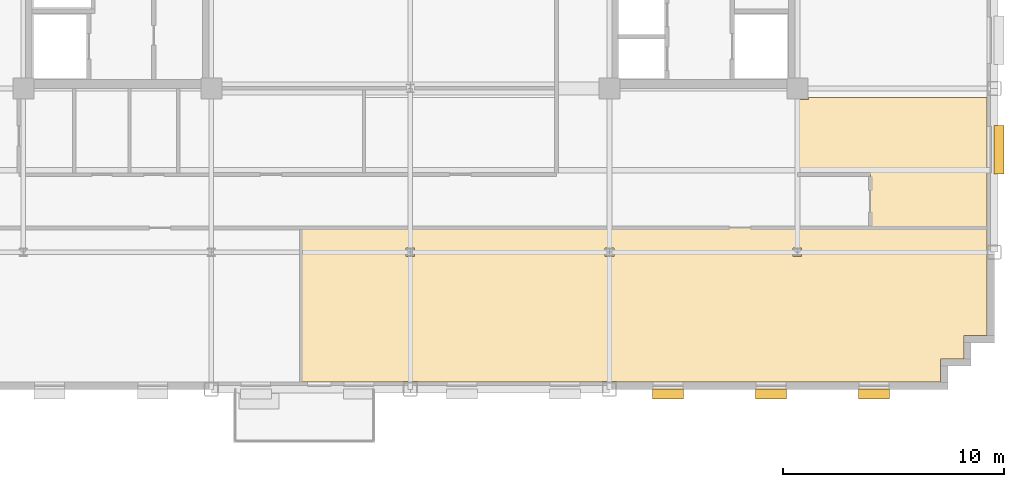
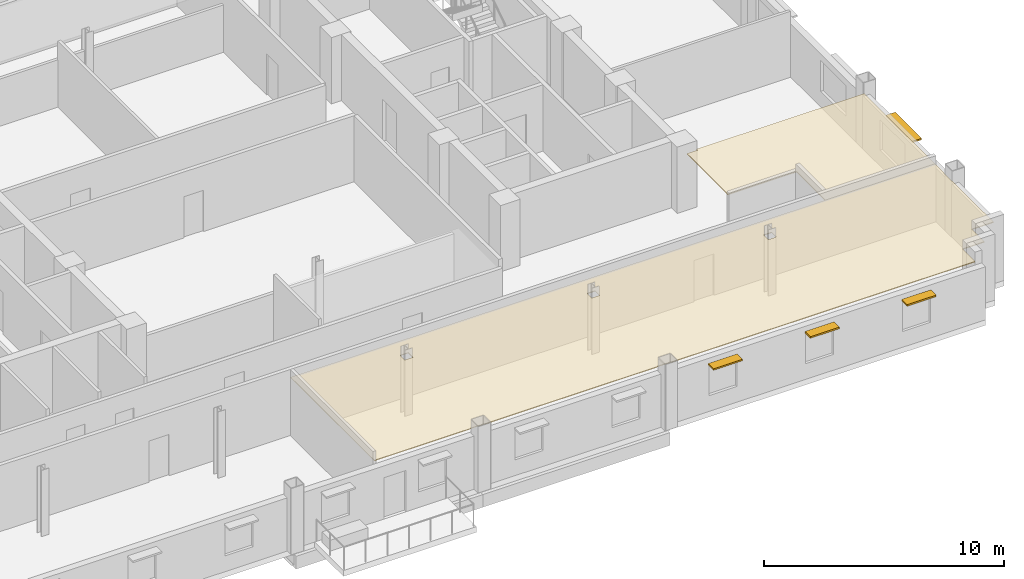
# One storey, part 12 of 14: 4 shading devices, 2 coverings.
"""IFC4 building model written with IfcOpenShell, lengths in metres."""

from ifc_helpers import new_model, si_unit, direction, frame, origin, origin_2d, place, context, subcontext, project, spatial, polyline, rectangle, outline, extrude, source, transform, mapped, material, layer, layer_set, type_object, type_shapes, element, save


model = new_model("IFC4")

# Units and contexts
model_context = context("Model", 3, precision=1e-05, world=origin(), true_north=direction((0.0, 1.0)))
body_context = subcontext(model_context, "Body", "Model", "MODEL_VIEW")
ifc_project = project(units=[si_unit("LENGTHUNIT", "METRE"), si_unit("AREAUNIT", "SQUARE_METRE"), si_unit("VOLUMEUNIT", "CUBIC_METRE"), si_unit("PLANEANGLEUNIT", "RADIAN"), si_unit("MASSUNIT", "GRAM", prefix="KILO")], contexts=[model_context])

# Site, building, storey
site_placement = place(None, origin())
site = spatial("IfcSite", under=ifc_project, at=site_placement, CompositionType="ELEMENT")
building_placement = place(site_placement, origin())
building = spatial("IfcBuilding", under=site, at=building_placement, Name="Nuvemarco Arch Tower", CompositionType="ELEMENT")
storey_placement = place(building_placement, frame((0.0, 0.0, 131.14990234375)))
storey = spatial("IfcBuildingStorey", under=building, at=storey_placement, Name="L34", CompositionType="ELEMENT", Elevation=131.14990234375)

# Coverings
ifc_material_1 = material(Name="Mineral acoustic ceiling tile")
ifc_layer = layer(ifc_material_1, 0.0400390625, Name="COV-ACOUSTIC-CLG")
ifc_layer_set = layer_set([ifc_layer], Name="Mineral acoustic ceiling tile")
covering_type = type_object("IfcCoveringType", Name="COV-ACOUSTIC-CLG", PredefinedType="CEILING", material=ifc_layer_set)
covering_1_placement = place(storey_placement, frame((0.0, 0.0, 2.85009765625)))
element("IfcCovering", 1, at=covering_1_placement, inside=storey, type_object=covering_type, Name="L34 suspended acoustic ceiling 1", PredefinedType="CEILING", context=body_context, shape_type="SweptSolid", body=[
    extrude(outline(polyline([(23.97998046875, -22.8798828125), (9.340087890625, -22.8798828125), (9.340087890625, -22.860107421875), (8.659912109375, -22.860107421875), (8.659912109375, -22.8798828125), (0.340087890625, -22.8798828125), (0.340087890625, -22.860107421875), (-0.340087890625, -22.860107421875), (-0.340087890625, -22.8798828125), (-4.93994140625, -22.8798828125), (-4.93994140625, -15.89990234375), (6.60009765625, -15.89990234375), (9.0, -15.89990234375), (20.800048828125, -15.89990234375), (26.080078125, -15.89990234375), (26.080078125, -16.659912109375), (26.06005859375, -16.659912109375), (26.06005859375, -17.340087890625), (26.080078125, -17.340087890625), (26.080078125, -20.780029296875), (25.030029296875, -20.780029296875), (25.030029296875, -21.830078125), (23.97998046875, -21.830078125), (23.97998046875, -22.8798828125)]), holes=[polyline([(0.195068359375, -17.195068359375), (0.195068359375, -16.804931640625), (-0.195068359375, -16.804931640625), (-0.195068359375, -17.195068359375), (0.195068359375, -17.195068359375)]), polyline([(9.195068359375, -17.195068359375), (9.195068359375, -16.804931640625), (8.804931640625, -16.804931640625), (8.804931640625, -17.195068359375), (9.195068359375, -17.195068359375)]), polyline([(17.695068359375, -17.195068359375), (17.695068359375, -16.804931640625), (17.304931640625, -16.804931640625), (17.304931640625, -17.195068359375), (17.695068359375, -17.195068359375)])]), origin(), (0.0, 0.0, 1.0), 0.0400390625),
])
covering_2_placement = place(storey_placement, frame((0.0, 0.0, 2.85009765625)))
element("IfcCovering", 2, at=covering_2_placement, inside=storey, type_object=covering_type, Name="L34 suspended acoustic ceiling 5", PredefinedType="CEILING", context=body_context, shape_type="SweptSolid", body=[
    extrude(outline(polyline([(17.5, -10.090087890625), (17.989990234375, -10.090087890625), (17.989990234375, -10.0), (26.080078125, -10.0), (26.080078125, -15.89990234375), (20.800048828125, -15.89990234375), (20.800048828125, -13.5), (17.5, -13.5), (17.5, -10.090087890625)])), origin(), (0.0, 0.0, 1.0), 0.0400390625),
])

# Shading devices
ifc_material_2 = material(Name="Anodised aluminium 6063-T6", Category="aluminium")
shading_device_type_1 = type_object("IfcShadingDeviceType", Name="SHD-BRISE-SOLEIL", PredefinedType="USERDEFINED", material=ifc_material_2)
shared_shape_1 = source(origin(), body_context, "Body", "SweptSolid", [
    extrude(rectangle(XDim=2.199951171875, YDim=0.449951171875, at=origin_2d()), origin(), (0.0, 0.0, 1.0), 0.080078125),
])
type_shapes(shading_device_type_1, [shared_shape_1])
shading_device_placement = place(storey_placement, frame((26.614990234375, -12.364990234375, 2.364990234375), z_axis=(0.0, 0.0, 1.0), x_axis=(0.0, 1.0, 0.0)))
element("IfcShadingDevice", 3, at=shading_device_placement, inside=storey, type_object=shading_device_type_1, Name="L34 horizontal brise-soleil sunshade", ObjectType="SUNSHADE", PredefinedType="USERDEFINED", context=body_context, shape_type="MappedRepresentation", body=[
    mapped(shared_shape_1, transform((0.0, 0.0, 0.0), scale=1.0)),
])
shading_device_type_2 = type_object("IfcShadingDeviceType", Name="SHD-BRISE-NARROW", PredefinedType="USERDEFINED", material=ifc_material_2)
shared_shape_2 = source(origin(), body_context, "Body", "SweptSolid", [
    extrude(rectangle(XDim=1.39990234375, YDim=0.449951171875, at=origin_2d()), origin(), (0.0, 0.0, 1.0), 0.080078125),
])
type_shapes(shading_device_type_2, [shared_shape_2])
for number, where, z_axis, x_axis, name in (
    (4, (11.64990234375, -23.4150390625, 2.364990234375), (0.0, 0.0, 1.0), (1.0, 0.0, 0.0), "L34 horizontal brise-soleil sunshade"),
    (5, (16.31005859375, -23.4150390625, 2.364990234375), (0.0, 0.0, 1.0), (1.0, 0.0, 0.0), "L34 horizontal brise-soleil sunshade"),
    (6, (20.969970703125, -23.4150390625, 2.364990234375), (0.0, 0.0, 1.0), (1.0, 0.0, 0.0), "L34 horizontal brise-soleil sunshade"),
):
    element("IfcShadingDevice", number, at=place(storey_placement, frame(where, z_axis=z_axis, x_axis=x_axis)), inside=storey, type_object=shading_device_type_2, Name=name, ObjectType="SUNSHADE", PredefinedType="USERDEFINED", context=body_context, shape_type="MappedRepresentation", body=[
        mapped(shared_shape_2, transform((0.0, 0.0, 0.0), scale=1.0)),
    ])

save(model, "model.ifc")
